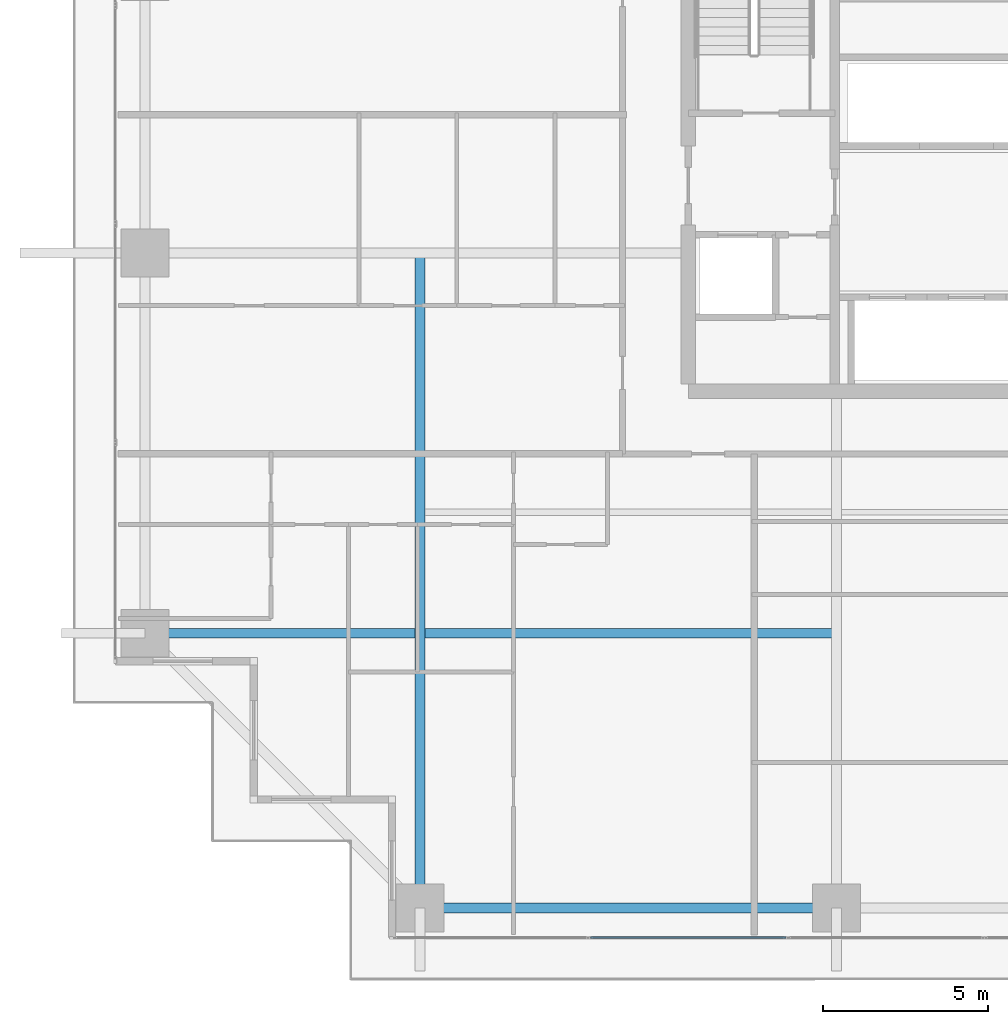
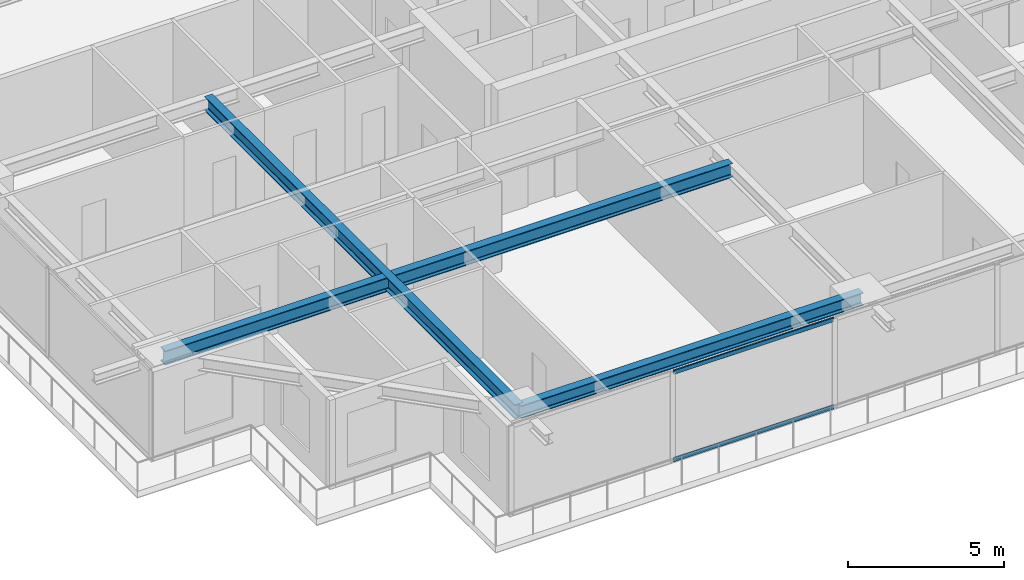
# One storey, part 4 of 38: 3 beams, 2 members, 1 element without a shape of its own.
"""IFC4 building model written with IfcOpenShell, lengths in metres."""

from ifc_helpers import new_model, si_unit, direction, frame, origin, origin_2d, place, context, subcontext, project, spatial, hollow_rectangle, i_section, extrude, source, transform, mapped, material, layer, layer_set, material_profile, profile_set, type_object, element, aggregate, save


model = new_model("IFC4")

# Units and contexts
model_context = context("Model", 3, precision=1e-05, world=origin(), true_north=direction((0.0, 1.0)))
body_context = subcontext(model_context, "Body", "Model", "MODEL_VIEW")
ifc_project = project(units=[si_unit("LENGTHUNIT", "METRE"), si_unit("AREAUNIT", "SQUARE_METRE"), si_unit("VOLUMEUNIT", "CUBIC_METRE"), si_unit("PLANEANGLEUNIT", "RADIAN"), si_unit("MASSUNIT", "GRAM", prefix="KILO")], contexts=[model_context])

# Site, building, storey
site_placement = place(None, origin())
site = spatial("IfcSite", under=ifc_project, at=site_placement, CompositionType="ELEMENT")
building_placement = place(site_placement, origin())
building = spatial("IfcBuilding", under=site, at=building_placement, Name="Serunith Strait Residences", CompositionType="ELEMENT")
storey_placement = place(building_placement, frame((0.0, 0.0, 37.949951171875)))
storey = spatial("IfcBuildingStorey", under=building, at=storey_placement, Name="L08", CompositionType="ELEMENT", Elevation=37.949951171875)

# Beams
ifc_material_1 = material(Name="Steel S355J2", Category="steel")
ifc_material_profile_1 = material_profile(ifc_material_1, i_section(OverallWidth=0.300048828125, OverallDepth=0.550048828125, WebThickness=0.014892578125, FlangeThickness=0.029052734375, FilletRadius=0.027099609375, at=origin_2d()), Name="HEB 550")
ifc_profile_set_1 = profile_set([ifc_material_profile_1], Name="Steel S355J2")
beam_type_1 = type_object("IfcBeamType", Name="BM-HEB550", PredefinedType="BEAM", material=ifc_profile_set_1)
shared_shape_1 = source(origin(), body_context, "Body", "SweptSolid", [
    extrude(i_section(OverallWidth=0.300048828125, OverallDepth=0.550048828125, WebThickness=0.014892578125, FlangeThickness=0.029052734375, FilletRadius=0.027099609375, at=origin_2d()), origin(), (0.0, 0.0, 1.0), 19.89990234375),
])
beam_1_placement = place(storey_placement, frame((15.25, 21.0, 3.212158203125), z_axis=(0.0, -1.0, 0.0), x_axis=(1.0, 0.0, 0.0)))
element("IfcBeam", 1, at=beam_1_placement, inside=storey, type_object=beam_type_1, Name="L08 Orthogonal Corner Girder TC-S1", PredefinedType="BEAM", context=body_context, shape_type="MappedRepresentation", body=[
    mapped(shared_shape_1, transform((0.0, 0.0, 0.0), scale=1.0)),
])
shared_shape_2 = source(origin(), body_context, "Body", "SweptSolid", [
    extrude(i_section(OverallWidth=0.300048828125, OverallDepth=0.550048828125, WebThickness=0.014892578125, FlangeThickness=0.029052734375, FilletRadius=0.027099609375, at=origin_2d()), origin(), (0.0, 0.0, 1.0), 21.0),
])
beam_2_placement = place(storey_placement, frame((27.89990234375, 9.449951171875, 3.212158203125), z_axis=(-1.0, 0.0, 0.0), x_axis=(0.0, -1.0, 0.0)))
element("IfcBeam", 2, at=beam_2_placement, inside=storey, type_object=beam_type_1, Name="L08 Orthogonal Corner Girder TC-W1", PredefinedType="BEAM", context=body_context, shape_type="MappedRepresentation", body=[
    mapped(shared_shape_2, transform((0.0, 0.0, 0.0), scale=1.0)),
])
ifc_material_profile_2 = material_profile(ifc_material_1, i_section(OverallWidth=0.300048828125, OverallDepth=0.5, WebThickness=0.014404296875, FlangeThickness=0.028076171875, FilletRadius=0.027099609375, at=origin_2d()), Name="HEB 500")
ifc_profile_set_2 = profile_set([ifc_material_profile_2], Name="Steel S355J2")
beam_type_2 = type_object("IfcBeamType", Name="BM-HEB500", PredefinedType="BEAM", material=ifc_profile_set_2)
shared_shape_3 = source(origin(), body_context, "Body", "SweptSolid", [
    extrude(i_section(OverallWidth=0.300048828125, OverallDepth=0.5, WebThickness=0.014404296875, FlangeThickness=0.028076171875, FilletRadius=0.027099609375, at=origin_2d()), origin(), (0.0, 0.0, 1.0), 12.64990234375),
])
beam_3_placement = place(storey_placement, frame((15.25, 1.10009765625, 3.237060546875), z_axis=(1.0, 0.0, 0.0), x_axis=(0.0, 1.0, 0.0)))
element("IfcBeam", 3, at=beam_3_placement, inside=storey, type_object=beam_type_2, Name="L08 Perimeter Ring Beam 01", PredefinedType="BEAM", context=body_context, shape_type="MappedRepresentation", body=[
    mapped(shared_shape_3, transform((0.0, 0.0, 0.0), scale=1.0)),
])

# Curtain wall, members
ifc_material_2 = material(Name="Pale-Champagne Anodised Aluminium", Category="aluminium")
ifc_layer = layer(ifc_material_2, 0.199951171875, Name="Pale-Champagne Anodised Aluminium")
ifc_layer_set = layer_set([ifc_layer], Name="Pale-Champagne Anodised Aluminium")
curtain_wall_type = type_object("IfcCurtainWallType", Name="CW-SYS1", PredefinedType="NOTDEFINED", material=ifc_layer_set)
curtain_wall_placement = place(storey_placement, origin())
curtain_wall = element("IfcCurtainWall", 4, at=curtain_wall_placement, inside=storey, type_object=curtain_wall_type, Name="L08 S Unitised Fritted Curtain Wall", PredefinedType="NOTDEFINED")
ifc_material_profile_3 = material_profile(ifc_material_2, hollow_rectangle(XDim=0.06005859375, YDim=0.159912109375, WallThickness=0.00341796875, InnerFilletRadius=0.00537109375, OuterFilletRadius=0.0087890625, at=origin_2d()), Name="ALU 160x60x3.5")
ifc_profile_set_3 = profile_set([ifc_material_profile_3], Name="Pale-Champagne Anodised Aluminium")
member_type = type_object("IfcMemberType", Name="CW-SYS1-TRAN", PredefinedType="USERDEFINED", material=ifc_profile_set_3)
shared_shape_4 = source(origin(), body_context, "Body", "SweptSolid", [
    extrude(hollow_rectangle(XDim=0.06005859375, YDim=0.159912109375, WallThickness=0.00341796875, InnerFilletRadius=0.00537109375, OuterFilletRadius=0.0087890625, at=origin_2d()), origin(), (0.0, 0.0, 1.0), 5.929931640625),
])
member_1_placement = place(storey_placement, frame((20.43505859375, 0.199951171875, 0.030029296875), z_axis=(1.0, 0.0, 0.0), x_axis=(0.0, 1.0, 0.0)))
member_1 = element("IfcMember", 5, at=member_1_placement, type_object=member_type, Name="CW-1 transom 2.1", ObjectType="TRANSOM", PredefinedType="USERDEFINED", context=body_context, shape_type="MappedRepresentation", body=[
    mapped(shared_shape_4, transform((0.0, 0.0, 0.0), scale=1.0)),
])
member_2_placement = place(storey_placement, frame((20.43505859375, 0.199951171875, 3.445068359375), z_axis=(1.0, 0.0, 0.0), x_axis=(0.0, 1.0, 0.0)))
member_2 = element("IfcMember", 6, at=member_2_placement, type_object=member_type, Name="CW-1 transom 2.2", ObjectType="TRANSOM", PredefinedType="USERDEFINED", context=body_context, shape_type="MappedRepresentation", body=[
    mapped(shared_shape_4, transform((0.0, 0.0, 0.0), scale=1.0)),
])
aggregate(curtain_wall, [member_1, member_2])

save(model, "model.ifc")
